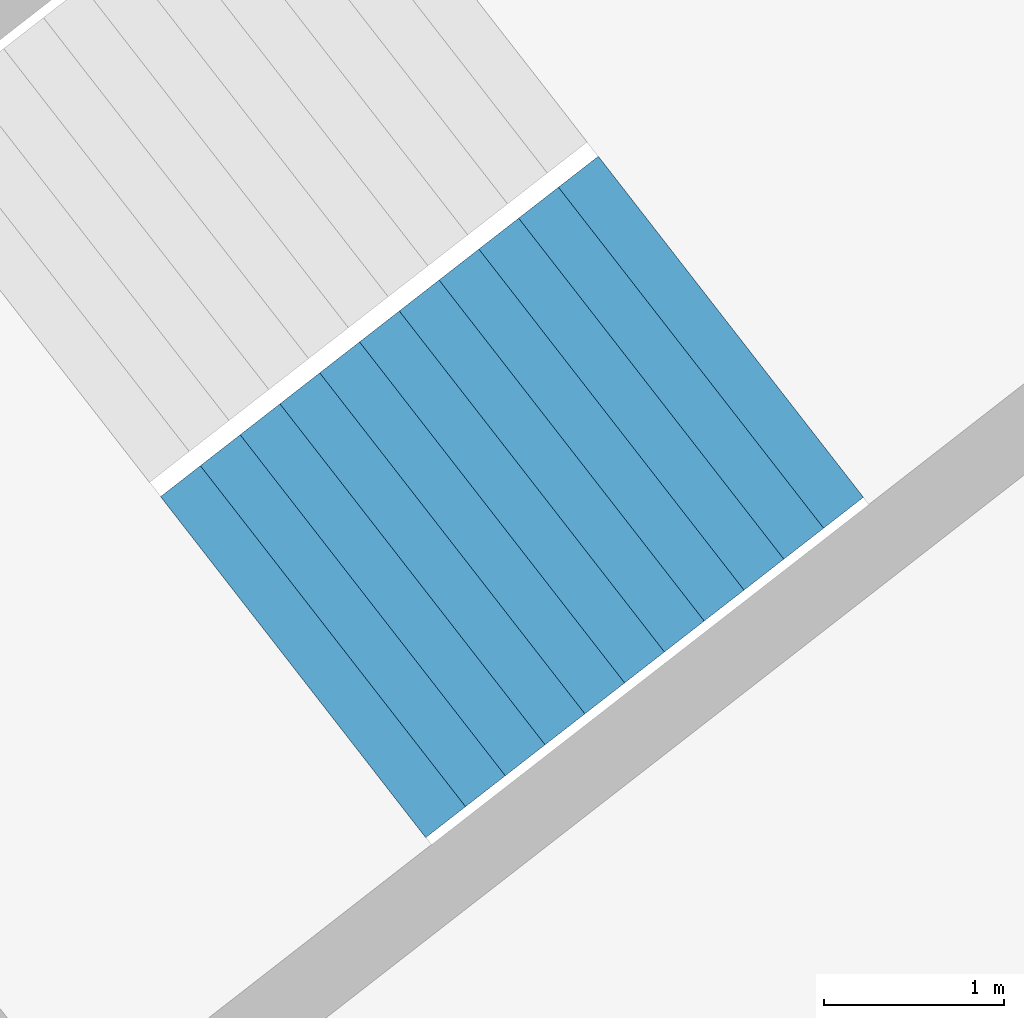
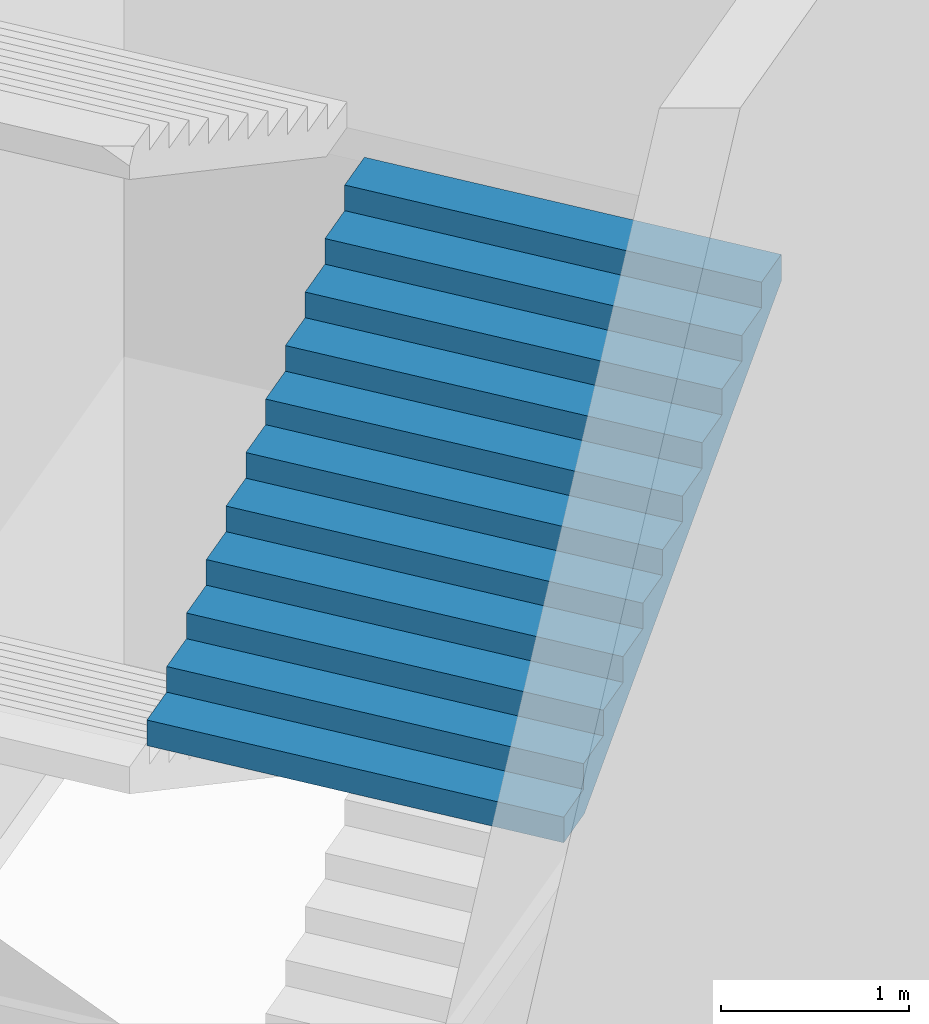
# One storey, part 63 of 74: 1 stair flight, 1 element without a shape of its own.
"""IFC4 building model written with IfcOpenShell, lengths in metres."""

from ifc_helpers import new_model, si_unit, direction, frame, origin, place, context, subcontext, project, spatial, triangles, material, type_object, element, aggregate, save


model = new_model("IFC4")

# Units and contexts
model_context = context("Model", 3, precision=1e-05, world=origin(), true_north=direction((0.0, 1.0)))
body_context = subcontext(model_context, "Body", "Model", "MODEL_VIEW")
ifc_project = project(units=[si_unit("LENGTHUNIT", "METRE"), si_unit("AREAUNIT", "SQUARE_METRE"), si_unit("VOLUMEUNIT", "CUBIC_METRE"), si_unit("PLANEANGLEUNIT", "RADIAN"), si_unit("MASSUNIT", "GRAM", prefix="KILO")], contexts=[model_context])

# Site, building, storey
site_placement = place(None, origin())
site = spatial("IfcSite", under=ifc_project, at=site_placement, CompositionType="ELEMENT")
building_placement = place(site_placement, origin())
building = spatial("IfcBuilding", under=site, at=building_placement, Name="Lantaw Convention Tower", CompositionType="ELEMENT")
storey_placement = place(building_placement, frame((0.0, 0.0, 6.5)))
storey = spatial("IfcBuildingStorey", under=building, at=storey_placement, Name="L01", CompositionType="ELEMENT", Elevation=6.5)

# Stair, stair flight
ifc_material = material(Name="Concrete C35/45", Category="concrete")
stair_type = type_object("IfcStairType", Name="Exit stair 2400 riser 166.67 in 4 flights", PredefinedType="HALF_TURN_STAIR", material=ifc_material)
stair_placement = place(storey_placement, origin())
stair = element("IfcStair", 1, at=stair_placement, inside=storey, type_object=stair_type, Name="Podium exit stair P3 L01", PredefinedType="HALF_TURN_STAIR")
stair_flight_type = type_object("IfcStairFlightType", Name="Stair flight 2400 riser 166.67", PredefinedType="STRAIGHT", material=ifc_material)
stair_flight_placement = place(storey_placement, frame((29.494384765625, 21.3544921875, 4.0), z_axis=(0.0, 0.0, 1.0), x_axis=(0.789378829664, 0.613906396186, 0.0)))
stair_flight = element("IfcStairFlight", 2, at=stair_flight_placement, type_object=stair_flight_type, Name="P3 flight 3", NumberOfRisers=12, NumberOfTreads=11, PredefinedType="STRAIGHT", RiserHeight=0.166666667, TreadLength=0.28, context=body_context, shape_type="Tessellation", body=[
    triangles([(0.0, 1.199951171875, 0.0), (0.0, 1.199951171875, 0.166666667), (0.28, 1.199951171875, 0.0), (0.28, 1.199951171875, 0.166666667), (0.28, 1.199951171875, 0.333333334), (0.29307345806906726, 1.199951171875, 0.0), (0.29307345806906726, 1.199951171875, 0.333333334), (0.56, 1.199951171875, 0.15888484670522965), (0.56, 1.199951171875, 0.333333334), (0.56, 1.199951171875, 0.500000001), (0.8400000000000001, 1.199951171875, 0.3255515137052296), (0.8400000000000001, 1.199951171875, 0.500000001), (0.8400000000000001, 1.199951171875, 0.666666668), (1.12, 1.199951171875, 0.4922181807052296), (1.12, 1.199951171875, 0.666666668), (1.12, 1.199951171875, 0.833333335), (1.4000000000000001, 1.199951171875, 0.6588848477052296), (1.4000000000000001, 1.199951171875, 0.833333335), (1.4000000000000001, 1.199951171875, 1.000000002), (1.6800000000000002, 1.199951171875, 0.8255515147052296), (1.6800000000000002, 1.199951171875, 1.000000002), (1.6800000000000002, 1.199951171875, 1.166666669), (1.9600000000000002, 1.199951171875, 0.9922181817052296), (1.9600000000000002, 1.199951171875, 1.166666669), (1.9600000000000002, 1.199951171875, 1.333333336), (2.24, 1.199951171875, 1.1588848487052295), (2.24, 1.199951171875, 1.333333336), (2.24, 1.199951171875, 1.5000000029999998), (2.5200000000000005, 1.199951171875, 1.3255515157052296), (2.5200000000000005, 1.199951171875, 1.5000000029999998), (2.5200000000000005, 1.199951171875, 1.66666667), (2.8000000000000003, 1.199951171875, 1.4922181827052294), (2.8000000000000003, 1.199951171875, 1.66666667), (2.8000000000000003, 1.199951171875, 1.833333337), (3.08, 1.199951171875, 1.6588848497052293), (3.08, 1.199951171875, 1.833333337), (0.0, -1.199951171875, 0.0), (0.0, -1.199951171875, 0.166666667), (0.28, -1.199951171875, 0.0), (0.28, -1.199951171875, 0.166666667), (0.28, -1.199951171875, 0.333333334), (0.29307345806906726, -1.199951171875, 0.0), (0.29307345806906726, -1.199951171875, 0.333333334), (0.56, -1.199951171875, 0.15888484670522965), (0.56, -1.199951171875, 0.333333334), (0.56, -1.199951171875, 0.500000001), (0.8400000000000001, -1.199951171875, 0.3255515137052296), (0.8400000000000001, -1.199951171875, 0.500000001), (0.8400000000000001, -1.199951171875, 0.666666668), (1.12, -1.199951171875, 0.4922181807052296), (1.12, -1.199951171875, 0.666666668), (1.12, -1.199951171875, 0.833333335), (1.4000000000000001, -1.199951171875, 0.6588848477052296), (1.4000000000000001, -1.199951171875, 0.833333335), (1.4000000000000001, -1.199951171875, 1.000000002), (1.6800000000000002, -1.199951171875, 0.8255515147052296), (1.6800000000000002, -1.199951171875, 1.000000002), (1.6800000000000002, -1.199951171875, 1.166666669), (1.9600000000000002, -1.199951171875, 0.9922181817052296), (1.9600000000000002, -1.199951171875, 1.166666669), (1.9600000000000002, -1.199951171875, 1.333333336), (2.24, -1.199951171875, 1.1588848487052295), (2.24, -1.199951171875, 1.333333336), (2.24, -1.199951171875, 1.5000000029999998), (2.5200000000000005, -1.199951171875, 1.3255515157052296), (2.5200000000000005, -1.199951171875, 1.5000000029999998), (2.5200000000000005, -1.199951171875, 1.66666667), (2.8000000000000003, -1.199951171875, 1.4922181827052294), (2.8000000000000003, -1.199951171875, 1.66666667), (2.8000000000000003, -1.199951171875, 1.833333337), (3.08, -1.199951171875, 1.6588848497052293), (3.08, -1.199951171875, 1.833333337), (0.0, 0.239990234375, 0.166666667), (0.0, 0.239990234375, 0.0), (0.0, 0.1199951171875, 0.166666667), (0.0, 0.1199951171875, 0.0), (0.0, 0.0, 0.166666667), (0.0, 0.0, 0.0), (0.0, -0.1199951171875, 0.166666667), (0.0, -0.1199951171875, 0.0), (0.0, -0.239990234375, 0.166666667), (0.0, -0.239990234375, 0.0), (0.28, 0.239990234375, 0.333333334), (0.28, 0.239990234375, 0.166666667), (0.28, 0.1199951171875, 0.333333334), (0.28, 0.1199951171875, 0.166666667), (0.28, 0.0, 0.333333334), (0.28, 0.0, 0.166666667), (0.28, -0.1199951171875, 0.333333334), (0.28, -0.1199951171875, 0.166666667), (0.28, -0.239990234375, 0.333333334), (0.28, -0.239990234375, 0.166666667), (0.56, 0.239990234375, 0.500000001), (0.56, 0.239990234375, 0.333333334), (0.56, 0.1199951171875, 0.500000001), (0.56, 0.1199951171875, 0.333333334), (0.56, 0.0, 0.500000001), (0.56, 0.0, 0.333333334), (0.56, -0.1199951171875, 0.500000001), (0.56, -0.1199951171875, 0.333333334), (0.56, -0.239990234375, 0.500000001), (0.56, -0.239990234375, 0.333333334), (0.8400000000000001, 0.239990234375, 0.666666668), (0.8400000000000001, 0.239990234375, 0.500000001), (0.8400000000000001, 0.1199951171875, 0.666666668), (0.8400000000000001, 0.1199951171875, 0.500000001), (0.8400000000000001, 0.0, 0.666666668), (0.8400000000000001, 0.0, 0.500000001), (0.8400000000000001, -0.1199951171875, 0.666666668), (0.8400000000000001, -0.1199951171875, 0.500000001), (0.8400000000000001, -0.239990234375, 0.666666668), (0.8400000000000001, -0.239990234375, 0.500000001), (1.12, 0.239990234375, 0.833333335), (1.12, 0.239990234375, 0.666666668), (1.12, 0.1199951171875, 0.833333335), (1.12, 0.1199951171875, 0.666666668), (1.12, 0.0, 0.833333335), (1.12, 0.0, 0.666666668), (1.12, -0.1199951171875, 0.833333335), (1.12, -0.1199951171875, 0.666666668), (1.12, -0.239990234375, 0.833333335), (1.12, -0.239990234375, 0.666666668), (1.4000000000000001, 0.239990234375, 1.000000002), (1.4000000000000001, 0.239990234375, 0.833333335), (1.4000000000000001, 0.1199951171875, 1.000000002), (1.4000000000000001, 0.1199951171875, 0.833333335), (1.4000000000000001, 0.0, 1.000000002), (1.4000000000000001, 0.0, 0.833333335), (1.4000000000000001, -0.1199951171875, 1.000000002), (1.4000000000000001, -0.1199951171875, 0.833333335), (1.4000000000000001, -0.239990234375, 1.000000002), (1.4000000000000001, -0.239990234375, 0.833333335), (1.6800000000000002, 0.239990234375, 1.166666669), (1.6800000000000002, 0.239990234375, 1.000000002), (1.6800000000000002, 0.1199951171875, 1.166666669), (1.6800000000000002, 0.1199951171875, 1.000000002), (1.6800000000000002, 0.0, 1.166666669), (1.6800000000000002, 0.0, 1.000000002), (1.6800000000000002, -0.1199951171875, 1.166666669), (1.6800000000000002, -0.1199951171875, 1.000000002), (1.6800000000000002, -0.239990234375, 1.166666669), (1.6800000000000002, -0.239990234375, 1.000000002), (1.9600000000000002, 0.239990234375, 1.333333336), (1.9600000000000002, 0.239990234375, 1.166666669), (1.9600000000000002, 0.1199951171875, 1.333333336), (1.9600000000000002, 0.1199951171875, 1.166666669), (1.9600000000000002, 0.0, 1.333333336), (1.9600000000000002, 0.0, 1.166666669), (1.9600000000000002, -0.1199951171875, 1.333333336), (1.9600000000000002, -0.1199951171875, 1.166666669), (1.9600000000000002, -0.239990234375, 1.333333336), (1.9600000000000002, -0.239990234375, 1.166666669), (2.24, 0.239990234375, 1.5000000029999998), (2.24, 0.239990234375, 1.333333336), (2.24, 0.1199951171875, 1.5000000029999998), (2.24, 0.1199951171875, 1.333333336), (2.24, 0.0, 1.5000000029999998), (2.24, 0.0, 1.333333336), (2.24, -0.1199951171875, 1.5000000029999998), (2.24, -0.1199951171875, 1.333333336), (2.24, -0.239990234375, 1.5000000029999998), (2.24, -0.239990234375, 1.333333336), (2.5200000000000005, 0.239990234375, 1.66666667), (2.5200000000000005, 0.239990234375, 1.5000000029999998), (2.5200000000000005, 0.1199951171875, 1.66666667), (2.5200000000000005, 0.1199951171875, 1.5000000029999998), (2.5200000000000005, 0.0, 1.66666667), (2.5200000000000005, 0.0, 1.5000000029999998), (2.5200000000000005, -0.1199951171875, 1.66666667), (2.5200000000000005, -0.1199951171875, 1.5000000029999998), (2.5200000000000005, -0.239990234375, 1.66666667), (2.5200000000000005, -0.239990234375, 1.5000000029999998), (2.8000000000000003, 0.239990234375, 1.833333337), (2.8000000000000003, 0.239990234375, 1.66666667), (2.8000000000000003, 0.1199951171875, 1.833333337), (2.8000000000000003, 0.1199951171875, 1.66666667), (2.8000000000000003, 0.0, 1.833333337), (2.8000000000000003, 0.0, 1.66666667), (2.8000000000000003, -0.1199951171875, 1.833333337), (2.8000000000000003, -0.1199951171875, 1.66666667), (2.8000000000000003, -0.239990234375, 1.833333337), (2.8000000000000003, -0.239990234375, 1.66666667), (0.29307345806906726, 0.239990234375, 0.333333334), (0.29307345806906726, 0.1199951171875, 0.333333334), (0.29307345806906726, 0.0, 0.333333334), (0.29307345806906726, -0.1199951171875, 0.333333334), (0.29307345806906726, -0.239990234375, 0.333333334), (3.08, 0.239990234375, 1.833333337), (3.08, 0.1199951171875, 1.833333337), (3.08, 0.0, 1.833333337), (3.08, -0.1199951171875, 1.833333337), (3.08, -0.239990234375, 1.833333337), (3.08, 0.239990234375, 1.6588848497052293), (3.08, 0.1199951171875, 1.6588848497052293), (3.08, 0.0, 1.6588848497052293), (3.08, -0.1199951171875, 1.6588848497052293), (3.08, -0.239990234375, 1.6588848497052293), (2.8000000000000003, 0.239990234375, 1.4922181827052294), (2.8000000000000003, 0.1199951171875, 1.4922181827052294), (2.8000000000000003, 0.0, 1.4922181827052294), (2.8000000000000003, -0.1199951171875, 1.4922181827052294), (2.8000000000000003, -0.239990234375, 1.4922181827052294), (2.5200000000000005, 0.239990234375, 1.3255515157052296), (2.5200000000000005, 0.1199951171875, 1.3255515157052296), (2.5200000000000005, 0.0, 1.3255515157052296), (2.5200000000000005, -0.1199951171875, 1.3255515157052296), (2.5200000000000005, -0.239990234375, 1.3255515157052296), (2.24, 0.239990234375, 1.1588848487052295), (2.24, 0.1199951171875, 1.1588848487052295), (2.24, 0.0, 1.1588848487052295), (2.24, -0.1199951171875, 1.1588848487052295), (2.24, -0.239990234375, 1.1588848487052295), (1.9600000000000002, 0.239990234375, 0.9922181817052296), (1.9600000000000002, 0.1199951171875, 0.9922181817052296), (1.9600000000000002, 0.0, 0.9922181817052296), (1.9600000000000002, -0.1199951171875, 0.9922181817052296), (1.9600000000000002, -0.239990234375, 0.9922181817052296), (1.6800000000000002, 0.239990234375, 0.8255515147052296), (1.6800000000000002, 0.1199951171875, 0.8255515147052296), (1.6800000000000002, 0.0, 0.8255515147052296), (1.6800000000000002, -0.1199951171875, 0.8255515147052296), (1.6800000000000002, -0.239990234375, 0.8255515147052296), (1.4000000000000001, 0.239990234375, 0.6588848477052296), (1.4000000000000001, 0.1199951171875, 0.6588848477052296), (1.4000000000000001, 0.0, 0.6588848477052296), (1.4000000000000001, -0.1199951171875, 0.6588848477052296), (1.4000000000000001, -0.239990234375, 0.6588848477052296), (1.12, 0.239990234375, 0.4922181807052296), (1.12, 0.1199951171875, 0.4922181807052296), (1.12, 0.0, 0.4922181807052296), (1.12, -0.1199951171875, 0.4922181807052296), (1.12, -0.239990234375, 0.4922181807052296), (0.8400000000000001, 0.239990234375, 0.3255515137052296), (0.8400000000000001, 0.1199951171875, 0.3255515137052296), (0.8400000000000001, 0.0, 0.3255515137052296), (0.8400000000000001, -0.1199951171875, 0.3255515137052296), (0.8400000000000001, -0.239990234375, 0.3255515137052296), (0.56, 0.239990234375, 0.15888484670522965), (0.56, 0.1199951171875, 0.15888484670522965), (0.56, 0.0, 0.15888484670522965), (0.56, -0.1199951171875, 0.15888484670522965), (0.56, -0.239990234375, 0.15888484670522965), (0.29307345806906726, 0.239990234375, 0.0), (0.29307345806906726, 0.1199951171875, 0.0), (0.29307345806906726, 0.0, 0.0), (0.29307345806906726, -0.1199951171875, 0.0), (0.29307345806906726, -0.239990234375, 0.0), (0.28, 0.239990234375, 0.0), (0.28, 0.1199951171875, 0.0), (0.28, 0.0, 0.0), (0.28, -0.1199951171875, 0.0), (0.28, -0.239990234375, 0.0)], [[1, 4, 3], [1, 2, 4], [3, 4, 6], [4, 7, 6], [4, 5, 7], [6, 9, 8], [6, 7, 9], [8, 9, 11], [9, 12, 11], [9, 10, 12], [11, 12, 14], [12, 15, 14], [12, 13, 15], [14, 15, 17], [15, 18, 17], [15, 16, 18], [17, 18, 20], [18, 21, 20], [18, 19, 21], [20, 21, 23], [21, 24, 23], [21, 22, 24], [23, 24, 26], [24, 27, 26], [24, 25, 27], [26, 27, 29], [27, 30, 29], [27, 28, 30], [29, 30, 32], [30, 33, 32], [30, 31, 33], [32, 33, 35], [33, 36, 35], [33, 34, 36], [37, 39, 40], [37, 40, 38], [39, 42, 40], [40, 42, 43], [40, 43, 41], [42, 44, 45], [42, 45, 43], [44, 47, 45], [45, 47, 48], [45, 48, 46], [47, 50, 48], [48, 50, 51], [48, 51, 49], [50, 53, 51], [51, 53, 54], [51, 54, 52], [53, 56, 54], [54, 56, 57], [54, 57, 55], [56, 59, 57], [57, 59, 60], [57, 60, 58], [59, 62, 60], [60, 62, 63], [60, 63, 61], [62, 65, 63], [63, 65, 66], [63, 66, 64], [65, 68, 66], [66, 68, 69], [66, 69, 67], [68, 71, 69], [69, 71, 72], [69, 72, 70], [1, 73, 2], [1, 74, 73], [74, 75, 73], [74, 76, 75], [76, 77, 75], [76, 78, 77], [78, 79, 77], [78, 80, 79], [80, 81, 79], [80, 82, 81], [82, 38, 81], [82, 37, 38], [4, 83, 5], [4, 84, 83], [84, 85, 83], [84, 86, 85], [86, 87, 85], [86, 88, 87], [88, 89, 87], [88, 90, 89], [90, 91, 89], [90, 92, 91], [92, 41, 91], [92, 40, 41], [9, 93, 10], [9, 94, 93], [94, 95, 93], [94, 96, 95], [96, 97, 95], [96, 98, 97], [98, 99, 97], [98, 100, 99], [100, 101, 99], [100, 102, 101], [102, 46, 101], [102, 45, 46], [12, 103, 13], [12, 104, 103], [104, 105, 103], [104, 106, 105], [106, 107, 105], [106, 108, 107], [108, 109, 107], [108, 110, 109], [110, 111, 109], [110, 112, 111], [112, 49, 111], [112, 48, 49], [15, 113, 16], [15, 114, 113], [114, 115, 113], [114, 116, 115], [116, 117, 115], [116, 118, 117], [118, 119, 117], [118, 120, 119], [120, 121, 119], [120, 122, 121], [122, 52, 121], [122, 51, 52], [18, 123, 19], [18, 124, 123], [124, 125, 123], [124, 126, 125], [126, 127, 125], [126, 128, 127], [128, 129, 127], [128, 130, 129], [130, 131, 129], [130, 132, 131], [132, 55, 131], [132, 54, 55], [21, 133, 22], [21, 134, 133], [134, 135, 133], [134, 136, 135], [136, 137, 135], [136, 138, 137], [138, 139, 137], [138, 140, 139], [140, 141, 139], [140, 142, 141], [142, 58, 141], [142, 57, 58], [24, 143, 25], [24, 144, 143], [144, 145, 143], [144, 146, 145], [146, 147, 145], [146, 148, 147], [148, 149, 147], [148, 150, 149], [150, 151, 149], [150, 152, 151], [152, 61, 151], [152, 60, 61], [27, 153, 28], [27, 154, 153], [154, 155, 153], [154, 156, 155], [156, 157, 155], [156, 158, 157], [158, 159, 157], [158, 160, 159], [160, 161, 159], [160, 162, 161], [162, 64, 161], [162, 63, 64], [30, 163, 31], [30, 164, 163], [164, 165, 163], [164, 166, 165], [166, 167, 165], [166, 168, 167], [168, 169, 167], [168, 170, 169], [170, 171, 169], [170, 172, 171], [172, 67, 171], [172, 66, 67], [33, 173, 34], [33, 174, 173], [174, 175, 173], [174, 176, 175], [176, 177, 175], [176, 178, 177], [178, 179, 177], [178, 180, 179], [180, 181, 179], [180, 182, 181], [182, 70, 181], [182, 69, 70], [2, 84, 4], [2, 73, 84], [73, 86, 84], [73, 75, 86], [75, 88, 86], [75, 77, 88], [77, 90, 88], [77, 79, 90], [79, 92, 90], [79, 81, 92], [81, 40, 92], [81, 38, 40], [5, 183, 7], [5, 83, 183], [83, 184, 183], [83, 85, 184], [85, 185, 184], [85, 87, 185], [87, 186, 185], [87, 89, 186], [89, 187, 186], [89, 91, 187], [91, 43, 187], [91, 41, 43], [7, 94, 9], [7, 183, 94], [183, 96, 94], [183, 184, 96], [184, 98, 96], [184, 185, 98], [185, 100, 98], [185, 186, 100], [186, 102, 100], [186, 187, 102], [187, 45, 102], [187, 43, 45], [10, 104, 12], [10, 93, 104], [93, 106, 104], [93, 95, 106], [95, 108, 106], [95, 97, 108], [97, 110, 108], [97, 99, 110], [99, 112, 110], [99, 101, 112], [101, 48, 112], [101, 46, 48], [13, 114, 15], [13, 103, 114], [103, 116, 114], [103, 105, 116], [105, 118, 116], [105, 107, 118], [107, 120, 118], [107, 109, 120], [109, 122, 120], [109, 111, 122], [111, 51, 122], [111, 49, 51], [16, 124, 18], [16, 113, 124], [113, 126, 124], [113, 115, 126], [115, 128, 126], [115, 117, 128], [117, 130, 128], [117, 119, 130], [119, 132, 130], [119, 121, 132], [121, 54, 132], [121, 52, 54], [19, 134, 21], [19, 123, 134], [123, 136, 134], [123, 125, 136], [125, 138, 136], [125, 127, 138], [127, 140, 138], [127, 129, 140], [129, 142, 140], [129, 131, 142], [131, 57, 142], [131, 55, 57], [22, 144, 24], [22, 133, 144], [133, 146, 144], [133, 135, 146], [135, 148, 146], [135, 137, 148], [137, 150, 148], [137, 139, 150], [139, 152, 150], [139, 141, 152], [141, 60, 152], [141, 58, 60], [25, 154, 27], [25, 143, 154], [143, 156, 154], [143, 145, 156], [145, 158, 156], [145, 147, 158], [147, 160, 158], [147, 149, 160], [149, 162, 160], [149, 151, 162], [151, 63, 162], [151, 61, 63], [28, 164, 30], [28, 153, 164], [153, 166, 164], [153, 155, 166], [155, 168, 166], [155, 157, 168], [157, 170, 168], [157, 159, 170], [159, 172, 170], [159, 161, 172], [161, 66, 172], [161, 64, 66], [31, 174, 33], [31, 163, 174], [163, 176, 174], [163, 165, 176], [165, 178, 176], [165, 167, 178], [167, 180, 178], [167, 169, 180], [169, 182, 180], [169, 171, 182], [171, 69, 182], [171, 67, 69], [34, 188, 36], [34, 173, 188], [173, 189, 188], [173, 175, 189], [175, 190, 189], [175, 177, 190], [177, 191, 190], [177, 179, 191], [179, 192, 191], [179, 181, 192], [181, 72, 192], [181, 70, 72], [36, 193, 35], [36, 188, 193], [188, 194, 193], [188, 189, 194], [189, 195, 194], [189, 190, 195], [190, 196, 195], [190, 191, 196], [191, 197, 196], [191, 192, 197], [192, 71, 197], [192, 72, 71], [35, 198, 32], [35, 193, 198], [193, 199, 198], [193, 194, 199], [194, 200, 199], [194, 195, 200], [195, 201, 200], [195, 196, 201], [196, 202, 201], [196, 197, 202], [197, 68, 202], [197, 71, 68], [32, 203, 29], [32, 198, 203], [198, 204, 203], [198, 199, 204], [199, 205, 204], [199, 200, 205], [200, 206, 205], [200, 201, 206], [201, 207, 206], [201, 202, 207], [202, 65, 207], [202, 68, 65], [29, 208, 26], [29, 203, 208], [203, 209, 208], [203, 204, 209], [204, 210, 209], [204, 205, 210], [205, 211, 210], [205, 206, 211], [206, 212, 211], [206, 207, 212], [207, 62, 212], [207, 65, 62], [26, 213, 23], [26, 208, 213], [208, 214, 213], [208, 209, 214], [209, 215, 214], [209, 210, 215], [210, 216, 215], [210, 211, 216], [211, 217, 216], [211, 212, 217], [212, 59, 217], [212, 62, 59], [23, 218, 20], [23, 213, 218], [213, 219, 218], [213, 214, 219], [214, 220, 219], [214, 215, 220], [215, 221, 220], [215, 216, 221], [216, 222, 221], [216, 217, 222], [217, 56, 222], [217, 59, 56], [20, 223, 17], [20, 218, 223], [218, 224, 223], [218, 219, 224], [219, 225, 224], [219, 220, 225], [220, 226, 225], [220, 221, 226], [221, 227, 226], [221, 222, 227], [222, 53, 227], [222, 56, 53], [17, 228, 14], [17, 223, 228], [223, 229, 228], [223, 224, 229], [224, 230, 229], [224, 225, 230], [225, 231, 230], [225, 226, 231], [226, 232, 231], [226, 227, 232], [227, 50, 232], [227, 53, 50], [14, 233, 11], [14, 228, 233], [228, 234, 233], [228, 229, 234], [229, 235, 234], [229, 230, 235], [230, 236, 235], [230, 231, 236], [231, 237, 236], [231, 232, 237], [232, 47, 237], [232, 50, 47], [11, 238, 8], [11, 233, 238], [233, 239, 238], [233, 234, 239], [234, 240, 239], [234, 235, 240], [235, 241, 240], [235, 236, 241], [236, 242, 241], [236, 237, 242], [237, 44, 242], [237, 47, 44], [8, 243, 6], [8, 238, 243], [238, 244, 243], [238, 239, 244], [239, 245, 244], [239, 240, 245], [240, 246, 245], [240, 241, 246], [241, 247, 246], [241, 242, 247], [242, 42, 247], [242, 44, 42], [6, 248, 3], [6, 243, 248], [243, 249, 248], [243, 244, 249], [244, 250, 249], [244, 245, 250], [245, 251, 250], [245, 246, 251], [246, 252, 251], [246, 247, 252], [247, 39, 252], [247, 42, 39], [3, 74, 1], [3, 248, 74], [248, 76, 74], [248, 249, 76], [249, 78, 76], [249, 250, 78], [250, 80, 78], [250, 251, 80], [251, 82, 80], [251, 252, 82], [252, 37, 82], [252, 39, 37]], closed=True),
])
aggregate(stair, [stair_flight])

save(model, "model.ifc")
